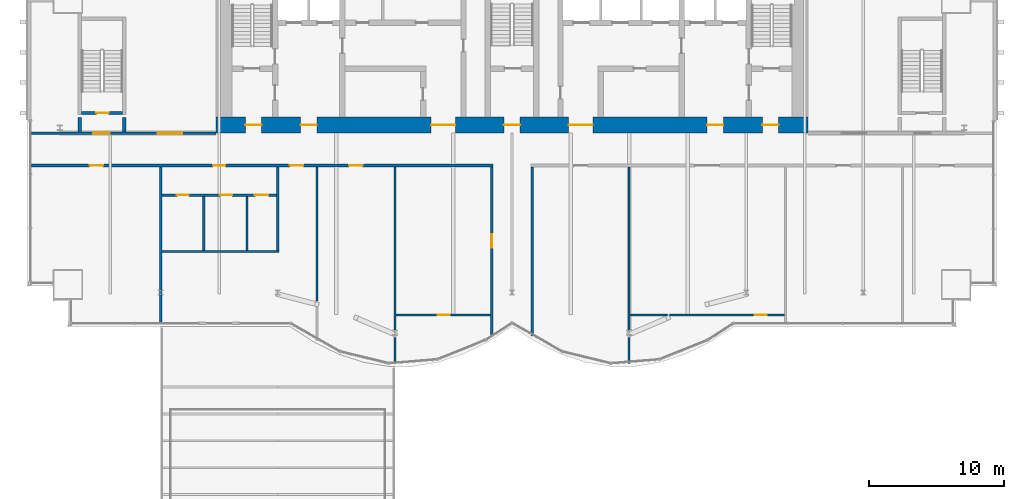
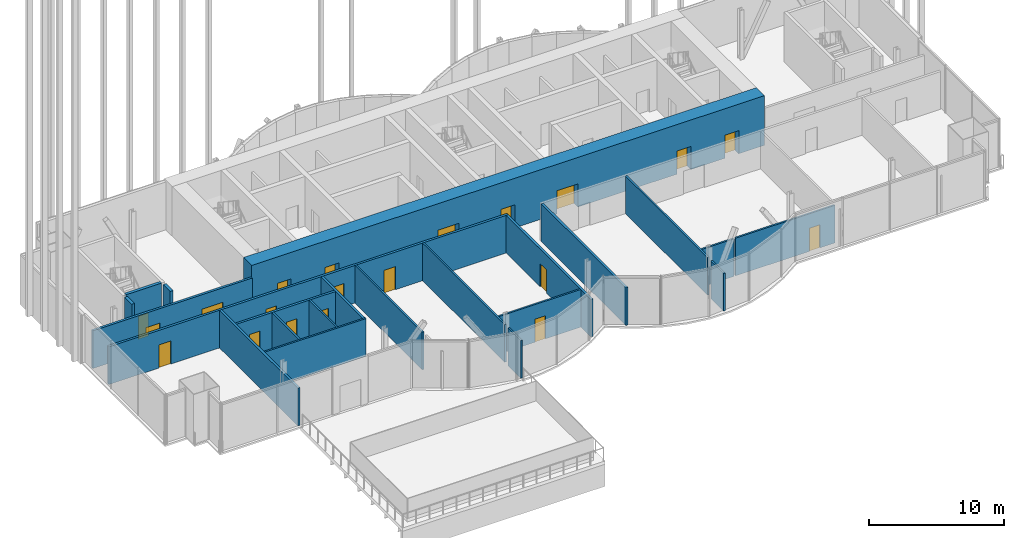
# One storey, part 16 of 22: 22 walls, 20 doors, 20 openings.
"""IFC4 building model written with IfcOpenShell, lengths in metres."""

from ifc_helpers import new_model, si_unit, direction, frame, frame_2d, origin, place, context, subcontext, project, spatial, rectangle, extrude, material, layer, layer_set, type_object, element, fill, save


model = new_model("IFC4")

# Units and contexts
model_context = context("Model", 3, precision=1e-05, world=origin(), true_north=direction((0.0, 1.0)))
body_context = subcontext(model_context, "Body", "Model", "MODEL_VIEW")
ifc_project = project(units=[si_unit("LENGTHUNIT", "METRE"), si_unit("AREAUNIT", "SQUARE_METRE"), si_unit("VOLUMEUNIT", "CUBIC_METRE"), si_unit("PLANEANGLEUNIT", "RADIAN"), si_unit("MASSUNIT", "GRAM", prefix="KILO")], contexts=[model_context])

# Site, building, storey
site_placement = place(None, origin())
site = spatial("IfcSite", under=ifc_project, at=site_placement, CompositionType="ELEMENT")
building_placement = place(site_placement, origin())
building = spatial("IfcBuilding", under=site, at=building_placement, Name="Bicima Exchange Tower", CompositionType="ELEMENT")
storey_placement = place(building_placement, frame((0.0, 0.0, 293.0)))
storey = spatial("IfcBuildingStorey", under=building, at=storey_placement, Name="L66", CompositionType="ELEMENT", Elevation=293.0)

# Wall, openings, doors
ifc_material_1 = material(Name="Gypsum board partition")
ifc_layer_1 = layer(ifc_material_1, 0.199951171875)
ifc_layer_set_1 = layer_set([ifc_layer_1], Name="Gypsum board partition")
wall_type_1 = type_object("IfcWallType", Name="Fire-rated gypsum partition 200 EI60", PredefinedType="PARTITIONING", material=ifc_layer_set_1)
wall_1_placement = place(storey_placement, frame((-26.0, -17.60009765625, 0.0), z_axis=(0.0, 0.0, 1.0), x_axis=(1.0, 0.0, 0.0)))
wall_1 = element("IfcWall", 1, at=wall_1_placement, inside=storey, type_object=wall_type_1, Name="partition wall 5", PredefinedType="PARTITIONING", context=body_context, shape_type="SweptSolid", body=[
    extrude(rectangle(XDim=8.5, YDim=0.199951171875, at=frame_2d((4.25, 0.0))), origin(), (0.0, 0.0, 1.0), 3.418212890625),
])
opening_1_placement = place(wall_1_placement, frame((1.10009765625, 0.0, 0.0)))
opening_1 = element("IfcOpeningElement", 2, at=opening_1_placement, cuts=wall_1, Name="Opening L66-009", PredefinedType="OPENING", context=body_context, shape_type="SweptSolid", body=[
    extrude(rectangle(XDim=0.89990234375, YDim=2.10009765625, at=frame_2d((0.449951171875, 1.050048828125))), frame((0.0, 0.11181640625, 0.0), z_axis=(0.0, -1.0, 0.0), x_axis=(1.0, 0.0, 0.0)), (0.0, 0.0, 1.0), 0.223876953125),
])
opening_2_placement = place(wall_1_placement, frame((4.300048828125, 0.0, 0.0)))
opening_2 = element("IfcOpeningElement", 3, at=opening_2_placement, cuts=wall_1, Name="Opening L66-010", PredefinedType="OPENING", context=body_context, shape_type="SweptSolid", body=[
    extrude(rectangle(XDim=0.89990234375, YDim=2.10009765625, at=frame_2d((0.449951171875, 1.050048828125))), frame((0.0, 0.11181640625, 0.0), z_axis=(0.0, -1.0, 0.0), x_axis=(1.0, 0.0, 0.0)), (0.0, 0.0, 1.0), 0.223876953125),
])
opening_3_placement = place(wall_1_placement, frame((6.89990234375, 0.0, 0.0)))
opening_3 = element("IfcOpeningElement", 4, at=opening_3_placement, cuts=wall_1, Name="Opening L66-011", PredefinedType="OPENING", context=body_context, shape_type="SweptSolid", body=[
    extrude(rectangle(XDim=1.0, YDim=2.10009765625, at=frame_2d((0.5, 1.050048828125))), frame((0.0, 0.11181640625, 0.0), z_axis=(0.0, -1.0, 0.0), x_axis=(1.0, 0.0, 0.0)), (0.0, 0.0, 1.0), 0.223876953125),
])
ifc_material_2 = material(Name="Steel fire door leaf", Category="steel")
door_type_1 = type_object("IfcDoorType", Name="Door 1000 swing FD30S", OperationType="SINGLE_SWING_LEFT", PredefinedType="DOOR", material=ifc_material_2)
door_1_placement = place(opening_3_placement, frame((1.0, 0.0, 0.0), z_axis=(0.0, 0.0, 1.0), x_axis=(-1.0, 0.0, 0.0)))
door_1 = element("IfcDoor", 5, at=door_1_placement, inside=storey, type_object=door_type_1, Name="Door", OperationType="SINGLE_SWING_RIGHT", OverallHeight=2.10009765625, OverallWidth=1.0, PredefinedType="DOOR", context=body_context, shape_type="SweptSolid", body=[
    extrude(rectangle(XDim=1.0, YDim=2.10009765625, at=frame_2d((0.5, 1.050048828125))), frame((0.0, 0.02490234375, 0.0), z_axis=(0.0, -1.0, 0.0), x_axis=(1.0, 0.0, 0.0)), (0.0, 0.0, 1.0), 0.050048828125),
])
fill(opening_3, door_1)
door_type_2 = type_object("IfcDoorType", Name="Door 900 swing FD30S", OperationType="SINGLE_SWING_LEFT", PredefinedType="DOOR", material=ifc_material_2)
door_2_placement = place(opening_1_placement, frame((0.89990234375, 0.0, 0.0), z_axis=(0.0, 0.0, 1.0), x_axis=(-1.0, 0.0, 0.0)))
door_2 = element("IfcDoor", 6, at=door_2_placement, inside=storey, type_object=door_type_2, Name="Door", OperationType="SINGLE_SWING_RIGHT", OverallHeight=2.10009765625, OverallWidth=0.89990234375, PredefinedType="DOOR", context=body_context, shape_type="SweptSolid", body=[
    extrude(rectangle(XDim=0.89990234375, YDim=2.10009765625, at=frame_2d((0.449951171875, 1.050048828125))), frame((0.0, 0.02490234375, 0.0), z_axis=(0.0, -1.0, 0.0), x_axis=(1.0, 0.0, 0.0)), (0.0, 0.0, 1.0), 0.050048828125),
])
fill(opening_1, door_2)
door_3_placement = place(opening_2_placement, frame((0.89990234375, 0.0, 0.0), z_axis=(0.0, 0.0, 1.0), x_axis=(-1.0, 0.0, 0.0)))
door_3 = element("IfcDoor", 7, at=door_3_placement, inside=storey, type_object=door_type_2, Name="Door", OperationType="SINGLE_SWING_LEFT", OverallHeight=2.10009765625, OverallWidth=0.89990234375, PredefinedType="DOOR", context=body_context, shape_type="SweptSolid", body=[
    extrude(rectangle(XDim=0.89990234375, YDim=2.10009765625, at=frame_2d((0.449951171875, 1.050048828125))), frame((0.0, 0.02490234375, 0.0), z_axis=(0.0, -1.0, 0.0), x_axis=(1.0, 0.0, 0.0)), (0.0, 0.0, 1.0), 0.050048828125),
])
fill(opening_2, door_3)

wall_2_placement = place(storey_placement, frame((-35.679931640625, -15.39990234375, 0.0), z_axis=(0.0, 0.0, 1.0), x_axis=(1.0, 0.0, 0.0)))
wall_2 = element("IfcWall", 8, at=wall_2_placement, inside=storey, type_object=wall_type_1, Name="partition wall 6", PredefinedType="PARTITIONING", context=body_context, shape_type="SweptSolid", body=[
    extrude(rectangle(XDim=34.280029296875, YDim=0.199951171875, at=frame_2d((17.14013671875, 0.0))), origin(), (0.0, 0.0, 1.0), 3.418212890625),
])
opening_4_placement = place(wall_2_placement, frame((4.300048828125, 0.0, 0.0)))
opening_4 = element("IfcOpeningElement", 9, at=opening_4_placement, cuts=wall_2, Name="Opening L66-007", PredefinedType="OPENING", context=body_context, shape_type="SweptSolid", body=[
    extrude(rectangle(XDim=1.0, YDim=2.10009765625, at=frame_2d((0.5, 1.050048828125))), frame((0.0, 0.11181640625, 0.0), z_axis=(0.0, -1.0, 0.0), x_axis=(1.0, 0.0, 0.0)), (0.0, 0.0, 1.0), 0.223876953125),
])
opening_5_placement = place(wall_2_placement, frame((13.47998046875, 0.0, 0.0)))
opening_5 = element("IfcOpeningElement", 10, at=opening_5_placement, cuts=wall_2, Name="Opening L66-008", PredefinedType="OPENING", context=body_context, shape_type="SweptSolid", body=[
    extrude(rectangle(XDim=0.89990234375, YDim=2.10009765625, at=frame_2d((0.449951171875, 1.050048828125))), frame((0.0, 0.11181640625, 0.0), z_axis=(0.0, -1.0, 0.0), x_axis=(1.0, 0.0, 0.0)), (0.0, 0.0, 1.0), 0.223876953125),
])
opening_6_placement = place(wall_2_placement, frame((19.179931640625, 0.0, 0.0)))
opening_6 = element("IfcOpeningElement", 11, at=opening_6_placement, cuts=wall_2, Name="Opening L66-012", PredefinedType="OPENING", context=body_context, shape_type="SweptSolid", body=[
    extrude(rectangle(XDim=1.0, YDim=2.10009765625, at=frame_2d((0.5, 1.050048828125))), frame((0.0, 0.11181640625, 0.0), z_axis=(0.0, -1.0, 0.0), x_axis=(1.0, 0.0, 0.0)), (0.0, 0.0, 1.0), 0.223876953125),
])
opening_7_placement = place(wall_2_placement, frame((23.580078125, 0.0, 0.0)))
opening_7 = element("IfcOpeningElement", 12, at=opening_7_placement, cuts=wall_2, Name="Opening L66-013", PredefinedType="OPENING", context=body_context, shape_type="SweptSolid", body=[
    extrude(rectangle(XDim=1.0, YDim=2.10009765625, at=frame_2d((0.5, 1.050048828125))), frame((0.0, 0.11181640625, 0.0), z_axis=(0.0, -1.0, 0.0), x_axis=(1.0, 0.0, 0.0)), (0.0, 0.0, 1.0), 0.223876953125),
])
door_4_placement = place(opening_4_placement, frame((1.0, 0.0, 0.0), z_axis=(0.0, 0.0, 1.0), x_axis=(-1.0, 0.0, 0.0)))
door_4 = element("IfcDoor", 13, at=door_4_placement, inside=storey, type_object=door_type_1, Name="Door", OperationType="SINGLE_SWING_LEFT", OverallHeight=2.10009765625, OverallWidth=1.0, PredefinedType="DOOR", context=body_context, shape_type="SweptSolid", body=[
    extrude(rectangle(XDim=1.0, YDim=2.10009765625, at=frame_2d((0.5, 1.050048828125))), frame((0.0, 0.02490234375, 0.0), z_axis=(0.0, -1.0, 0.0), x_axis=(1.0, 0.0, 0.0)), (0.0, 0.0, 1.0), 0.050048828125),
])
fill(opening_4, door_4)
door_5_placement = place(opening_6_placement, frame((1.0, 0.0, 0.0), z_axis=(0.0, 0.0, 1.0), x_axis=(-1.0, 0.0, 0.0)))
door_5 = element("IfcDoor", 14, at=door_5_placement, inside=storey, type_object=door_type_1, Name="Door", OperationType="SINGLE_SWING_RIGHT", OverallHeight=2.10009765625, OverallWidth=1.0, PredefinedType="DOOR", context=body_context, shape_type="SweptSolid", body=[
    extrude(rectangle(XDim=1.0, YDim=2.10009765625, at=frame_2d((0.5, 1.050048828125))), frame((0.0, 0.02490234375, 0.0), z_axis=(0.0, -1.0, 0.0), x_axis=(1.0, 0.0, 0.0)), (0.0, 0.0, 1.0), 0.050048828125),
])
fill(opening_6, door_5)
door_6_placement = place(opening_7_placement, frame((1.0, 0.0, 0.0), z_axis=(0.0, 0.0, 1.0), x_axis=(-1.0, 0.0, 0.0)))
door_6 = element("IfcDoor", 15, at=door_6_placement, inside=storey, type_object=door_type_1, Name="Door", OperationType="SINGLE_SWING_LEFT", OverallHeight=2.10009765625, OverallWidth=1.0, PredefinedType="DOOR", context=body_context, shape_type="SweptSolid", body=[
    extrude(rectangle(XDim=1.0, YDim=2.10009765625, at=frame_2d((0.5, 1.050048828125))), frame((0.0, 0.02490234375, 0.0), z_axis=(0.0, -1.0, 0.0), x_axis=(1.0, 0.0, 0.0)), (0.0, 0.0, 1.0), 0.050048828125),
])
fill(opening_7, door_6)
door_7_placement = place(opening_5_placement, frame((0.89990234375, 0.0, 0.0), z_axis=(0.0, 0.0, 1.0), x_axis=(-1.0, 0.0, 0.0)))
door_7 = element("IfcDoor", 16, at=door_7_placement, inside=storey, type_object=door_type_2, Name="Door", OperationType="SINGLE_SWING_RIGHT", OverallHeight=2.10009765625, OverallWidth=0.89990234375, PredefinedType="DOOR", context=body_context, shape_type="SweptSolid", body=[
    extrude(rectangle(XDim=0.89990234375, YDim=2.10009765625, at=frame_2d((0.449951171875, 1.050048828125))), frame((0.0, 0.02490234375, 0.0), z_axis=(0.0, -1.0, 0.0), x_axis=(1.0, 0.0, 0.0)), (0.0, 0.0, 1.0), 0.050048828125),
])
fill(opening_5, door_7)

wall_3_placement = place(storey_placement, frame((-35.679931640625, -13.0, 0.0), z_axis=(0.0, 0.0, 1.0), x_axis=(1.0, 0.0, 0.0)))
wall_3 = element("IfcWall", 17, at=wall_3_placement, inside=storey, type_object=wall_type_1, Name="partition wall 8", PredefinedType="PARTITIONING", context=body_context, shape_type="SweptSolid", body=[
    extrude(rectangle(XDim=13.679931640625, YDim=0.199951171875, at=frame_2d((6.83984375, 0.0))), origin(), (0.0, 0.0, 1.0), 3.418212890625),
])
opening_8_placement = place(wall_3_placement, frame((4.580078125, 0.0, 0.0)))
opening_8 = element("IfcOpeningElement", 18, at=opening_8_placement, cuts=wall_3, Name="Opening L66-001", PredefinedType="OPENING", context=body_context, shape_type="SweptSolid", body=[
    extrude(rectangle(XDim=1.199951171875, YDim=2.10009765625, at=frame_2d((0.60009765625, 1.050048828125))), frame((0.0, 0.11181640625, 0.0), z_axis=(0.0, -1.0, 0.0), x_axis=(1.0, 0.0, 0.0)), (0.0, 0.0, 1.0), 0.223876953125),
])
opening_9_placement = place(wall_3_placement, frame((9.3798828125, 0.0, 0.0)))
opening_9 = element("IfcOpeningElement", 19, at=opening_9_placement, cuts=wall_3, Name="Opening L66-005", PredefinedType="OPENING", context=body_context, shape_type="SweptSolid", body=[
    extrude(rectangle(XDim=1.800048828125, YDim=2.10009765625, at=frame_2d((0.89990234375, 1.050048828125))), frame((0.0, 0.11181640625, 0.0), z_axis=(0.0, -1.0, 0.0), x_axis=(1.0, 0.0, 0.0)), (0.0, 0.0, 1.0), 0.223876953125),
])
door_type_3 = type_object("IfcDoorType", Name="Door 1200 swing FD30S", OperationType="SINGLE_SWING_LEFT", PredefinedType="DOOR", material=ifc_material_2)
door_8_placement = place(opening_8_placement, origin())
door_8 = element("IfcDoor", 20, at=door_8_placement, inside=storey, type_object=door_type_3, Name="Door", OperationType="SINGLE_SWING_LEFT", OverallHeight=2.10009765625, OverallWidth=1.199951171875, PredefinedType="DOOR", context=body_context, shape_type="SweptSolid", body=[
    extrude(rectangle(XDim=1.199951171875, YDim=2.10009765625, at=frame_2d((0.60009765625, 1.050048828125))), frame((0.0, 0.02490234375, 0.0), z_axis=(0.0, -1.0, 0.0), x_axis=(1.0, 0.0, 0.0)), (0.0, 0.0, 1.0), 0.050048828125),
])
fill(opening_8, door_8)
door_type_4 = type_object("IfcDoorType", Name="Door 1800 double swing FD30S", OperationType="DOUBLE_DOOR_SINGLE_SWING", PredefinedType="DOOR", material=ifc_material_2)
door_9_placement = place(opening_9_placement, origin())
door_9 = element("IfcDoor", 21, at=door_9_placement, inside=storey, type_object=door_type_4, Name="Door", OperationType="SINGLE_SWING_LEFT", OverallHeight=2.10009765625, OverallWidth=1.800048828125, PredefinedType="DOOR", context=body_context, shape_type="SweptSolid", body=[
    extrude(rectangle(XDim=1.800048828125, YDim=2.10009765625, at=frame_2d((0.89990234375, 1.050048828125))), frame((0.0, 0.02490234375, 0.0), z_axis=(0.0, -1.0, 0.0), x_axis=(1.0, 0.0, 0.0)), (0.0, 0.0, 1.0), 0.050048828125),
])
fill(opening_9, door_9)

# Walls
wall_4_placement = place(storey_placement, frame((-26.10009765625, -27.14990234375, 0.0), z_axis=(0.0, 0.0, 1.0), x_axis=(0.0, 1.0, 0.0)))
element("IfcWall", 22, at=wall_4_placement, inside=storey, type_object=wall_type_1, Name="partition wall 16", PredefinedType="PARTITIONING", context=body_context, shape_type="SweptSolid", body=[
    extrude(rectangle(XDim=11.64990234375, YDim=0.199951171875, at=frame_2d((5.824951171875, 0.0))), origin(), (0.0, 0.0, 1.0), 3.418212890625),
])
wall_5_placement = place(storey_placement, frame((-17.39990234375, -21.72509765625, 0.0), z_axis=(0.0, 0.0, 1.0), x_axis=(0.0, 1.0, 0.0)))
element("IfcWall", 23, at=wall_5_placement, inside=storey, type_object=wall_type_1, Name="partition wall 19", PredefinedType="PARTITIONING", context=body_context, shape_type="SweptSolid", body=[
    extrude(rectangle(XDim=6.22509765625, YDim=0.199951171875, at=frame_2d((3.112548828125, 0.0))), origin(), (0.0, 0.0, 1.0), 3.418212890625),
])

# Wall, opening, door
wall_6_placement = place(storey_placement, frame((-1.5, -28.080078125, 0.0), z_axis=(0.0, 0.0, 1.0), x_axis=(0.0, 1.0, 0.0)))
wall_6 = element("IfcWall", 24, at=wall_6_placement, inside=storey, type_object=wall_type_1, Name="partition wall 24", PredefinedType="PARTITIONING", context=body_context, shape_type="SweptSolid", body=[
    extrude(rectangle(XDim=12.580078125, YDim=0.199951171875, at=frame_2d((6.2900390625, 0.0))), origin(), (0.0, 0.0, 1.0), 3.418212890625),
])
opening_10_placement = place(wall_6_placement, frame((6.570068359375, 0.0, 0.0)))
opening_10 = element("IfcOpeningElement", 25, at=opening_10_placement, cuts=wall_6, Name="Opening L66-014", PredefinedType="OPENING", context=body_context, shape_type="SweptSolid", body=[
    extrude(rectangle(XDim=1.0, YDim=2.10009765625, at=frame_2d((0.5, 1.050048828125))), frame((0.0, 0.11181640625, 0.0), z_axis=(0.0, -1.0, 0.0), x_axis=(1.0, 0.0, 0.0)), (0.0, 0.0, 1.0), 0.223876953125),
])
door_10_placement = place(opening_10_placement, origin())
door_10 = element("IfcDoor", 26, at=door_10_placement, inside=storey, type_object=door_type_1, Name="Door", OperationType="SINGLE_SWING_LEFT", OverallHeight=2.10009765625, OverallWidth=1.0, PredefinedType="DOOR", context=body_context, shape_type="SweptSolid", body=[
    extrude(rectangle(XDim=1.0, YDim=2.10009765625, at=frame_2d((0.5, 1.050048828125))), frame((0.0, 0.02490234375, 0.0), z_axis=(0.0, -1.0, 0.0), x_axis=(1.0, 0.0, 0.0)), (0.0, 0.0, 1.0), 0.050048828125),
])
fill(opening_10, door_10)

# Wall
wall_7_placement = place(storey_placement, frame((1.5, -28.080078125, 0.0), z_axis=(0.0, 0.0, 1.0), x_axis=(0.0, 1.0, 0.0)))
element("IfcWall", 27, at=wall_7_placement, inside=storey, type_object=wall_type_1, Name="partition wall 25", PredefinedType="PARTITIONING", context=body_context, shape_type="SweptSolid", body=[
    extrude(rectangle(XDim=12.580078125, YDim=0.199951171875, at=frame_2d((6.2900390625, 0.0))), origin(), (0.0, 0.0, 1.0), 3.418212890625),
])

# Wall, opening, door
ifc_layer_2 = layer(ifc_material_1, 0.14990234375)
ifc_layer_set_2 = layer_set([ifc_layer_2], Name="Gypsum board partition")
wall_type_2 = type_object("IfcWallType", Name="Gypsum partition 150", PredefinedType="PARTITIONING", material=ifc_layer_set_2)
wall_8_placement = place(storey_placement, frame((-8.625, -26.510009765625, 0.0), z_axis=(0.0, 0.0, 1.0), x_axis=(1.0, 0.0, 0.0)))
wall_8 = element("IfcWall", 28, at=wall_8_placement, inside=storey, type_object=wall_type_2, Name="partition wall 1", PredefinedType="PARTITIONING", context=body_context, shape_type="SweptSolid", body=[
    extrude(rectangle(XDim=7.02490234375, YDim=0.14990234375, at=frame_2d((3.512451171875, 0.0))), origin(), (0.0, 0.0, 1.0), 3.418212890625),
])
opening_11_placement = place(wall_8_placement, frame((3.10009765625, 0.0, 0.0)))
opening_11 = element("IfcOpeningElement", 29, at=opening_11_placement, cuts=wall_8, Name="Opening L66-020", PredefinedType="OPENING", context=body_context, shape_type="SweptSolid", body=[
    extrude(rectangle(XDim=0.89990234375, YDim=2.10009765625, at=frame_2d((0.449951171875, 1.050048828125))), frame((0.0, 0.0869140625, 0.0), z_axis=(0.0, -1.0, 0.0), x_axis=(1.0, 0.0, 0.0)), (0.0, 0.0, 1.0), 0.173828125),
])
ifc_material_3 = material(Name="Timber door leaf", Category="wood")
door_type_5 = type_object("IfcDoorType", Name="Door 900 swing", OperationType="SINGLE_SWING_LEFT", PredefinedType="DOOR", material=ifc_material_3)
door_11_placement = place(opening_11_placement, frame((0.89990234375, 0.0, 0.0), z_axis=(0.0, 0.0, 1.0), x_axis=(-1.0, 0.0, 0.0)))
door_11 = element("IfcDoor", 30, at=door_11_placement, inside=storey, type_object=door_type_5, Name="Door", OperationType="SINGLE_SWING_RIGHT", OverallHeight=2.10009765625, OverallWidth=0.89990234375, PredefinedType="DOOR", context=body_context, shape_type="SweptSolid", body=[
    extrude(rectangle(XDim=0.89990234375, YDim=2.10009765625, at=frame_2d((0.449951171875, 1.050048828125))), frame((0.0, 0.02490234375, 0.0), z_axis=(0.0, -1.0, 0.0), x_axis=(1.0, 0.0, 0.0)), (0.0, 0.0, 1.0), 0.050048828125),
])
fill(opening_11, door_11)

# Wall
wall_9_placement = place(storey_placement, frame((8.77490234375, -26.510009765625, 0.0), z_axis=(0.0, 0.0, 1.0), x_axis=(1.0, 0.0, 0.0)))
element("IfcWall", 31, at=wall_9_placement, inside=storey, type_object=wall_type_2, Name="partition wall 2", PredefinedType="PARTITIONING", context=body_context, shape_type="SweptSolid", body=[
    extrude(rectangle(XDim=2.784912109375, YDim=0.14990234375, at=frame_2d((1.392578125, 0.0))), origin(), (0.0, 0.0, 1.0), 3.418212890625),
])

# Wall, opening, door
wall_10_placement = place(storey_placement, frame((11.69482421875, -26.510009765625, 0.0), z_axis=(0.0, 0.0, 1.0), x_axis=(1.0, 0.0, 0.0)))
wall_10 = element("IfcWall", 32, at=wall_10_placement, inside=storey, type_object=wall_type_2, Name="partition wall 3", PredefinedType="PARTITIONING", context=body_context, shape_type="SweptSolid", body=[
    extrude(rectangle(XDim=8.5302734375, YDim=0.14990234375, at=frame_2d((4.26513671875, 0.0))), origin(), (0.0, 0.0, 1.0), 3.418212890625),
])
opening_12_placement = place(wall_10_placement, frame((6.3349609375, 0.0, 0.0)))
opening_12 = element("IfcOpeningElement", 33, at=opening_12_placement, cuts=wall_10, Name="Opening L66-019", PredefinedType="OPENING", context=body_context, shape_type="SweptSolid", body=[
    extrude(rectangle(XDim=0.89990234375, YDim=2.10009765625, at=frame_2d((0.449951171875, 1.050048828125))), frame((0.0, 0.0869140625, 0.0), z_axis=(0.0, -1.0, 0.0), x_axis=(1.0, 0.0, 0.0)), (0.0, 0.0, 1.0), 0.173828125),
])
door_12_placement = place(opening_12_placement, frame((0.89990234375, 0.0, 0.0), z_axis=(0.0, 0.0, 1.0), x_axis=(-1.0, 0.0, 0.0)))
door_12 = element("IfcDoor", 34, at=door_12_placement, inside=storey, type_object=door_type_5, Name="Door", OperationType="SINGLE_SWING_LEFT", OverallHeight=2.10009765625, OverallWidth=0.89990234375, PredefinedType="DOOR", context=body_context, shape_type="SweptSolid", body=[
    extrude(rectangle(XDim=0.89990234375, YDim=2.10009765625, at=frame_2d((0.449951171875, 1.050048828125))), frame((0.0, 0.02490234375, 0.0), z_axis=(0.0, -1.0, 0.0), x_axis=(1.0, 0.0, 0.0)), (0.0, 0.0, 1.0), 0.050048828125),
])
fill(opening_12, door_12)

# Walls
wall_11_placement = place(storey_placement, frame((-26.0, -21.800048828125, 0.0), z_axis=(0.0, 0.0, 1.0), x_axis=(1.0, 0.0, 0.0)))
element("IfcWall", 35, at=wall_11_placement, inside=storey, type_object=wall_type_2, Name="partition wall 4", PredefinedType="PARTITIONING", context=body_context, shape_type="SweptSolid", body=[
    extrude(rectangle(XDim=8.699951171875, YDim=0.14990234375, at=frame_2d((4.35009765625, 0.0))), origin(), (0.0, 0.0, 1.0), 3.418212890625),
])
for number, where, z_axis, x_axis, name in (
    (36, (-22.89990234375, -21.72509765625, 0.0), (0.0, 0.0, 1.0), (0.0, 1.0, 0.0), "partition wall 17"),
    (37, (-19.699951171875, -21.72509765625, 0.0), (0.0, 0.0, 1.0), (0.0, 1.0, 0.0), "partition wall 18"),
):
    element("IfcWall", number, at=place(storey_placement, frame(where, z_axis=z_axis, x_axis=x_axis)), inside=storey, type_object=wall_type_2, Name=name, PredefinedType="PARTITIONING", context=body_context, shape_type="SweptSolid", body=[
        extrude(rectangle(XDim=4.025146484375, YDim=0.14990234375, at=frame_2d((2.0126953125, 0.0))), origin(), (0.0, 0.0, 1.0), 3.418212890625),
    ])
wall_12_placement = place(storey_placement, frame((-14.5, -25.47705078125, 0.0), z_axis=(0.0, 0.0, 1.0), x_axis=(0.0, 1.0, 0.0)))
element("IfcWall", 38, at=wall_12_placement, inside=storey, type_object=wall_type_2, Name="partition wall 21", PredefinedType="PARTITIONING", context=body_context, shape_type="SweptSolid", body=[
    extrude(rectangle(XDim=9.97705078125, YDim=0.14990234375, at=frame_2d((4.988525390625, 0.0))), origin(), (0.0, 0.0, 1.0), 3.418212890625),
])
wall_13_placement = place(storey_placement, frame((-8.699951171875, -30.110107421875, 0.0), z_axis=(0.0, 0.0, 1.0), x_axis=(0.0, 1.0, 0.0)))
element("IfcWall", 39, at=wall_13_placement, inside=storey, type_object=wall_type_2, Name="partition wall 22", PredefinedType="PARTITIONING", context=body_context, shape_type="SweptSolid", body=[
    extrude(rectangle(XDim=1.9130859375, YDim=0.14990234375, at=frame_2d((0.95654296875, 0.0))), origin(), (0.0, 0.0, 1.0), 3.418212890625),
])
wall_14_placement = place(storey_placement, frame((-8.699951171875, -27.705322265625, 0.0), z_axis=(0.0, 0.0, 1.0), x_axis=(0.0, 1.0, 0.0)))
element("IfcWall", 40, at=wall_14_placement, inside=storey, type_object=wall_type_2, Name="partition wall 23", PredefinedType="PARTITIONING", context=body_context, shape_type="SweptSolid", body=[
    extrude(rectangle(XDim=12.205322265625, YDim=0.14990234375, at=frame_2d((6.1025390625, 0.0))), origin(), (0.0, 0.0, 1.0), 3.418212890625),
])
wall_15_placement = place(storey_placement, frame((8.699951171875, -30.110107421875, 0.0), z_axis=(0.0, 0.0, 1.0), x_axis=(0.0, 1.0, 0.0)))
element("IfcWall", 41, at=wall_15_placement, inside=storey, type_object=wall_type_2, Name="partition wall 26", PredefinedType="PARTITIONING", context=body_context, shape_type="SweptSolid", body=[
    extrude(rectangle(XDim=1.9130859375, YDim=0.14990234375, at=frame_2d((0.95654296875, 0.0))), origin(), (0.0, 0.0, 1.0), 3.418212890625),
])
wall_16_placement = place(storey_placement, frame((8.699951171875, -27.705322265625, 0.0), z_axis=(0.0, 0.0, 1.0), x_axis=(0.0, 1.0, 0.0)))
element("IfcWall", 42, at=wall_16_placement, inside=storey, type_object=wall_type_2, Name="partition wall 27", PredefinedType="PARTITIONING", context=body_context, shape_type="SweptSolid", body=[
    extrude(rectangle(XDim=12.205322265625, YDim=0.14990234375, at=frame_2d((6.1025390625, 0.0))), origin(), (0.0, 0.0, 1.0), 3.418212890625),
])

# Wall, openings, doors
ifc_material_4 = material(Name="Concrete C40/50", Category="concrete")
ifc_layer_3 = layer(ifc_material_4, 1.199951171875)
ifc_layer_set_3 = layer_set([ifc_layer_3], Name="Concrete C40/50")
wall_type_3 = type_object("IfcWallType", Name="RC core wall 1200 C40/50", PredefinedType="SHEAR", material=ifc_layer_set_3)
wall_17_placement = place(storey_placement, frame((-22.0, -12.39990234375, 0.0), z_axis=(0.0, 0.0, 1.0), x_axis=(1.0, 0.0, 0.0)))
wall_17 = element("IfcWall", 43, at=wall_17_placement, inside=storey, type_object=wall_type_3, Name="Core wall south", PredefinedType="SHEAR", context=body_context, shape_type="SweptSolid", body=[
    extrude(rectangle(XDim=44.0, YDim=1.199951171875, at=frame_2d((22.0, 0.0))), origin(), (0.0, 0.0, 1.0), 4.5),
])
opening_13_placement = place(wall_17_placement, frame((2.199951171875, 0.0, 0.0)))
opening_13 = element("IfcOpeningElement", 44, at=opening_13_placement, cuts=wall_17, Name="Opening L66-C18", PredefinedType="OPENING", context=body_context, shape_type="SweptSolid", body=[
    extrude(rectangle(XDim=1.199951171875, YDim=2.10009765625, at=frame_2d((0.60009765625, 1.050048828125))), frame((0.0, 0.61181640625, 0.0), z_axis=(0.0, -1.0, 0.0), x_axis=(1.0, 0.0, 0.0)), (0.0, 0.0, 1.0), 1.223876953125),
])
opening_14_placement = place(wall_17_placement, frame((21.39990234375, 0.0, 0.0)))
opening_14 = element("IfcOpeningElement", 45, at=opening_14_placement, cuts=wall_17, Name="Opening L66-C19", PredefinedType="OPENING", context=body_context, shape_type="SweptSolid", body=[
    extrude(rectangle(XDim=1.199951171875, YDim=2.10009765625, at=frame_2d((0.60009765625, 1.050048828125))), frame((0.0, 0.61181640625, 0.0), z_axis=(0.0, -1.0, 0.0), x_axis=(1.0, 0.0, 0.0)), (0.0, 0.0, 1.0), 1.223876953125),
])
opening_15_placement = place(wall_17_placement, frame((40.60009765625, 0.0, 0.0)))
opening_15 = element("IfcOpeningElement", 46, at=opening_15_placement, cuts=wall_17, Name="Opening L66-C20", PredefinedType="OPENING", context=body_context, shape_type="SweptSolid", body=[
    extrude(rectangle(XDim=1.199951171875, YDim=2.10009765625, at=frame_2d((0.60009765625, 1.050048828125))), frame((0.0, 0.61181640625, 0.0), z_axis=(0.0, -1.0, 0.0), x_axis=(1.0, 0.0, 0.0)), (0.0, 0.0, 1.0), 1.223876953125),
])
opening_16_placement = place(wall_17_placement, frame((16.0, 0.0, 0.0)))
opening_16 = element("IfcOpeningElement", 47, at=opening_16_placement, cuts=wall_17, Name="Opening L66-C21", PredefinedType="OPENING", context=body_context, shape_type="SweptSolid", body=[
    extrude(rectangle(XDim=1.800048828125, YDim=2.10009765625, at=frame_2d((0.89990234375, 1.050048828125))), frame((0.0, 0.61181640625, 0.0), z_axis=(0.0, -1.0, 0.0), x_axis=(1.0, 0.0, 0.0)), (0.0, 0.0, 1.0), 1.223876953125),
])
opening_17_placement = place(wall_17_placement, frame((6.300048828125, 0.0, 0.0)))
opening_17 = element("IfcOpeningElement", 48, at=opening_17_placement, cuts=wall_17, Name="Opening L66-C22", PredefinedType="OPENING", context=body_context, shape_type="SweptSolid", body=[
    extrude(rectangle(XDim=1.199951171875, YDim=2.10009765625, at=frame_2d((0.60009765625, 1.050048828125))), frame((0.0, 0.61181640625, 0.0), z_axis=(0.0, -1.0, 0.0), x_axis=(1.0, 0.0, 0.0)), (0.0, 0.0, 1.0), 1.223876953125),
])
opening_18_placement = place(wall_17_placement, frame((26.199951171875, 0.0, 0.0)))
opening_18 = element("IfcOpeningElement", 49, at=opening_18_placement, cuts=wall_17, Name="Opening L66-C23", PredefinedType="OPENING", context=body_context, shape_type="SweptSolid", body=[
    extrude(rectangle(XDim=1.800048828125, YDim=2.10009765625, at=frame_2d((0.89990234375, 1.050048828125))), frame((0.0, 0.61181640625, 0.0), z_axis=(0.0, -1.0, 0.0), x_axis=(1.0, 0.0, 0.0)), (0.0, 0.0, 1.0), 1.223876953125),
])
opening_19_placement = place(wall_17_placement, frame((36.5, 0.0, 0.0)))
opening_19 = element("IfcOpeningElement", 50, at=opening_19_placement, cuts=wall_17, Name="Opening L66-C24", PredefinedType="OPENING", context=body_context, shape_type="SweptSolid", body=[
    extrude(rectangle(XDim=1.199951171875, YDim=2.10009765625, at=frame_2d((0.60009765625, 1.050048828125))), frame((0.0, 0.61181640625, 0.0), z_axis=(0.0, -1.0, 0.0), x_axis=(1.0, 0.0, 0.0)), (0.0, 0.0, 1.0), 1.223876953125),
])
door_type_6 = type_object("IfcDoorType", Name="Door 1200 swing FD60S", OperationType="SINGLE_SWING_LEFT", PredefinedType="DOOR", material=ifc_material_2)
door_13_placement = place(opening_13_placement, frame((1.199951171875, 0.0, 0.0), z_axis=(0.0, 0.0, 1.0), x_axis=(-1.0, 0.0, 0.0)))
door_13 = element("IfcDoor", 51, at=door_13_placement, inside=storey, type_object=door_type_6, Name="Core door", OperationType="SINGLE_SWING_RIGHT", OverallHeight=2.10009765625, OverallWidth=1.199951171875, PredefinedType="DOOR", context=body_context, shape_type="SweptSolid", body=[
    extrude(rectangle(XDim=1.199951171875, YDim=2.10009765625, at=frame_2d((0.60009765625, 1.050048828125))), frame((0.0, 0.02490234375, 0.0), z_axis=(0.0, -1.0, 0.0), x_axis=(1.0, 0.0, 0.0)), (0.0, 0.0, 1.0), 0.050048828125),
])
fill(opening_13, door_13)
door_14_placement = place(opening_14_placement, frame((1.199951171875, 0.0, 0.0), z_axis=(0.0, 0.0, 1.0), x_axis=(-1.0, 0.0, 0.0)))
door_14 = element("IfcDoor", 52, at=door_14_placement, inside=storey, type_object=door_type_6, Name="Core door", OperationType="SINGLE_SWING_RIGHT", OverallHeight=2.10009765625, OverallWidth=1.199951171875, PredefinedType="DOOR", context=body_context, shape_type="SweptSolid", body=[
    extrude(rectangle(XDim=1.199951171875, YDim=2.10009765625, at=frame_2d((0.60009765625, 1.050048828125))), frame((0.0, 0.02490234375, 0.0), z_axis=(0.0, -1.0, 0.0), x_axis=(1.0, 0.0, 0.0)), (0.0, 0.0, 1.0), 0.050048828125),
])
fill(opening_14, door_14)
door_15_placement = place(opening_15_placement, frame((1.199951171875, 0.0, 0.0), z_axis=(0.0, 0.0, 1.0), x_axis=(-1.0, 0.0, 0.0)))
door_15 = element("IfcDoor", 53, at=door_15_placement, inside=storey, type_object=door_type_6, Name="Core door", OperationType="SINGLE_SWING_RIGHT", OverallHeight=2.10009765625, OverallWidth=1.199951171875, PredefinedType="DOOR", context=body_context, shape_type="SweptSolid", body=[
    extrude(rectangle(XDim=1.199951171875, YDim=2.10009765625, at=frame_2d((0.60009765625, 1.050048828125))), frame((0.0, 0.02490234375, 0.0), z_axis=(0.0, -1.0, 0.0), x_axis=(1.0, 0.0, 0.0)), (0.0, 0.0, 1.0), 0.050048828125),
])
fill(opening_15, door_15)
door_16_placement = place(opening_17_placement, frame((1.199951171875, 0.0, 0.0), z_axis=(0.0, 0.0, 1.0), x_axis=(-1.0, 0.0, 0.0)))
door_16 = element("IfcDoor", 54, at=door_16_placement, inside=storey, type_object=door_type_6, Name="Core door", OperationType="SINGLE_SWING_RIGHT", OverallHeight=2.10009765625, OverallWidth=1.199951171875, PredefinedType="DOOR", context=body_context, shape_type="SweptSolid", body=[
    extrude(rectangle(XDim=1.199951171875, YDim=2.10009765625, at=frame_2d((0.60009765625, 1.050048828125))), frame((0.0, 0.02490234375, 0.0), z_axis=(0.0, -1.0, 0.0), x_axis=(1.0, 0.0, 0.0)), (0.0, 0.0, 1.0), 0.050048828125),
])
fill(opening_17, door_16)
door_17_placement = place(opening_19_placement, frame((1.199951171875, 0.0, 0.0), z_axis=(0.0, 0.0, 1.0), x_axis=(-1.0, 0.0, 0.0)))
door_17 = element("IfcDoor", 55, at=door_17_placement, inside=storey, type_object=door_type_6, Name="Core door", OperationType="SINGLE_SWING_RIGHT", OverallHeight=2.10009765625, OverallWidth=1.199951171875, PredefinedType="DOOR", context=body_context, shape_type="SweptSolid", body=[
    extrude(rectangle(XDim=1.199951171875, YDim=2.10009765625, at=frame_2d((0.60009765625, 1.050048828125))), frame((0.0, 0.02490234375, 0.0), z_axis=(0.0, -1.0, 0.0), x_axis=(1.0, 0.0, 0.0)), (0.0, 0.0, 1.0), 0.050048828125),
])
fill(opening_19, door_17)
door_18_placement = place(opening_16_placement, origin())
door_18 = element("IfcDoor", 56, at=door_18_placement, inside=storey, type_object=door_type_4, Name="Core door", OperationType="SINGLE_SWING_LEFT", OverallHeight=2.10009765625, OverallWidth=1.800048828125, PredefinedType="DOOR", context=body_context, shape_type="SweptSolid", body=[
    extrude(rectangle(XDim=1.800048828125, YDim=2.10009765625, at=frame_2d((0.89990234375, 1.050048828125))), frame((0.0, 0.02490234375, 0.0), z_axis=(0.0, -1.0, 0.0), x_axis=(1.0, 0.0, 0.0)), (0.0, 0.0, 1.0), 0.050048828125),
])
fill(opening_16, door_18)
door_19_placement = place(opening_18_placement, origin())
door_19 = element("IfcDoor", 57, at=door_19_placement, inside=storey, type_object=door_type_4, Name="Core door", OperationType="SINGLE_SWING_LEFT", OverallHeight=2.10009765625, OverallWidth=1.800048828125, PredefinedType="DOOR", context=body_context, shape_type="SweptSolid", body=[
    extrude(rectangle(XDim=1.800048828125, YDim=2.10009765625, at=frame_2d((0.89990234375, 1.050048828125))), frame((0.0, 0.02490234375, 0.0), z_axis=(0.0, -1.0, 0.0), x_axis=(1.0, 0.0, 0.0)), (0.0, 0.0, 1.0), 0.050048828125),
])
fill(opening_18, door_19)

# Walls
ifc_material_5 = material(Name="Concrete C50/60", Category="concrete")
ifc_layer_4 = layer(ifc_material_5, 0.25)
ifc_layer_set_4 = layer_set([ifc_layer_4], Name="Concrete C50/60")
wall_type_4 = type_object("IfcWallType", Name="RC core wall 250 C50/60", PredefinedType="SHEAR", material=ifc_layer_set_4)
for number, where, z_axis, x_axis, name in (
    (58, (-32.10009765625, -12.89990234375, 0.0), (0.0, 0.0, 1.0), (0.0, 1.0, 0.0), "stair wall 14"),
    (59, (-28.800048828125, -12.89990234375, 0.0), (0.0, 0.0, 1.0), (0.0, 1.0, 0.0), "stair wall 15"),
):
    element("IfcWall", number, at=place(storey_placement, frame(where, z_axis=z_axis, x_axis=x_axis)), inside=storey, type_object=wall_type_4, Name=name, PredefinedType="SHEAR", context=body_context, shape_type="SweptSolid", body=[
        extrude(rectangle(XDim=1.0498046875, YDim=0.25, at=frame_2d((0.52490234375, 0.0))), origin(), (0.0, 0.0, 1.0), 4.5),
    ])

# Wall, opening, door
ifc_layer_5 = layer(ifc_material_5, 0.25)
ifc_layer_set_5 = layer_set([ifc_layer_5], Name="Concrete C50/60")
wall_type_5 = type_object("IfcWallType", Name="RC stair enclosure wall 250 C50/60", PredefinedType="SHEAR", material=ifc_layer_set_5)
wall_18_placement = place(storey_placement, frame((-31.97509765625, -11.5, 0.0), z_axis=(0.0, 0.0, 1.0), x_axis=(1.0, 0.0, 0.0)))
wall_18 = element("IfcWall", 60, at=wall_18_placement, inside=storey, type_object=wall_type_5, Name="West end exit stair wall S", PredefinedType="SHEAR", context=body_context, shape_type="SweptSolid", body=[
    extrude(rectangle(XDim=3.050048828125, YDim=0.25, at=frame_2d((1.52490234375, 0.0))), origin(), (0.0, 0.0, 1.0), 4.5),
])
opening_20_placement = place(wall_18_placement, frame((1.10009765625, 0.0, 0.0)))
opening_20 = element("IfcOpeningElement", 61, at=opening_20_placement, cuts=wall_18, Name="Opening L66-002", PredefinedType="OPENING", context=body_context, shape_type="SweptSolid", body=[
    extrude(rectangle(XDim=0.89990234375, YDim=2.10009765625, at=frame_2d((0.449951171875, 1.050048828125))), frame((0.0, 0.136962890625, 0.0), z_axis=(0.0, -1.0, 0.0), x_axis=(1.0, 0.0, 0.0)), (0.0, 0.0, 1.0), 0.27392578125),
])
door_type_7 = type_object("IfcDoorType", Name="Door 900 swing FD60S", OperationType="SINGLE_SWING_LEFT", PredefinedType="DOOR", material=ifc_material_2)
door_20_placement = place(opening_20_placement, origin())
door_20 = element("IfcDoor", 62, at=door_20_placement, inside=storey, type_object=door_type_7, Name="Door", OperationType="SINGLE_SWING_LEFT", OverallHeight=2.10009765625, OverallWidth=0.89990234375, PredefinedType="DOOR", context=body_context, shape_type="SweptSolid", body=[
    extrude(rectangle(XDim=0.89990234375, YDim=2.10009765625, at=frame_2d((0.449951171875, 1.050048828125))), frame((0.0, 0.02490234375, 0.0), z_axis=(0.0, -1.0, 0.0), x_axis=(1.0, 0.0, 0.0)), (0.0, 0.0, 1.0), 0.050048828125),
])
fill(opening_20, door_20)

save(model, "model.ifc")
